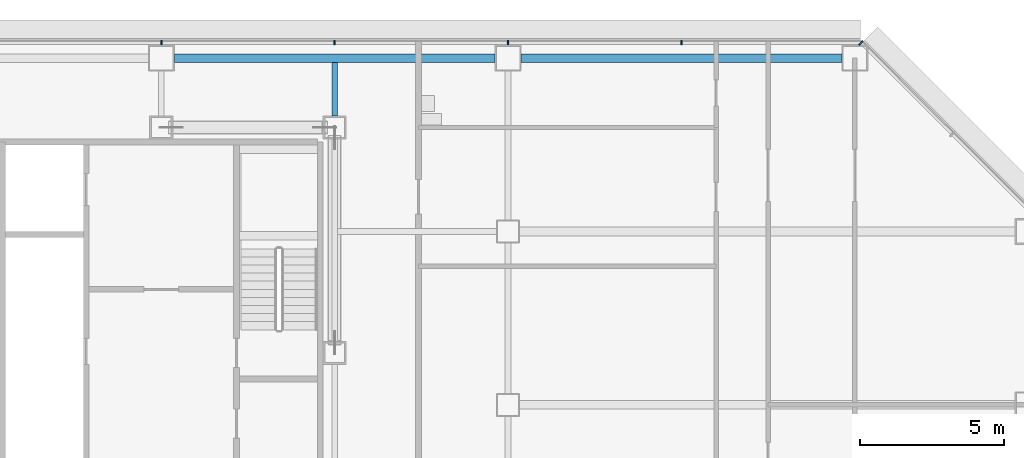
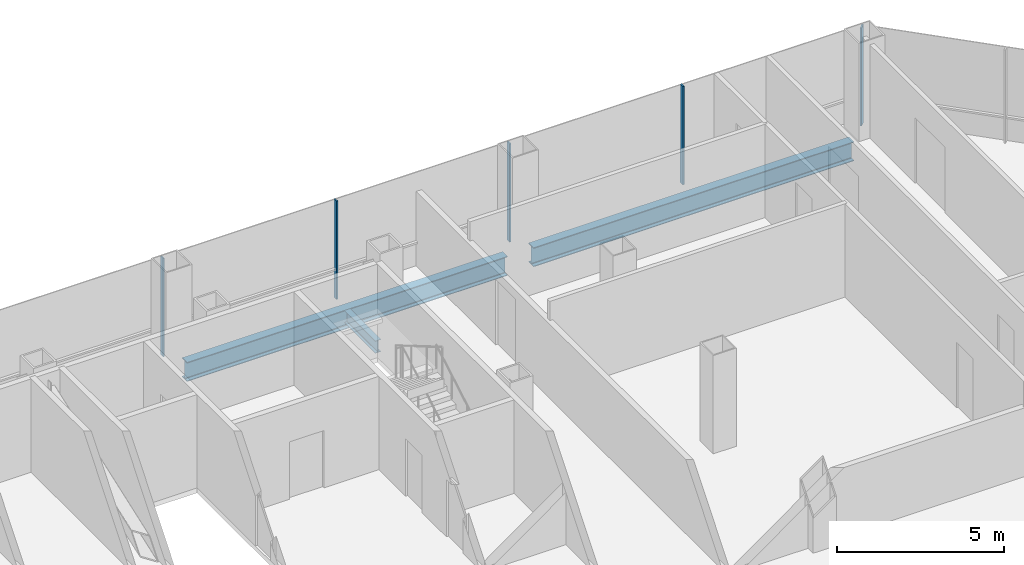
# One storey, part 15 of 26: 5 members, 3 beams, 2 elements without a shape of their own.
"""IFC4 building model written with IfcOpenShell, lengths in metres."""

from ifc_helpers import new_model, si_unit, direction, frame, origin, origin_2d, place, context, subcontext, project, spatial, rectangle, i_section, extrude, material, material_profile, profile_set, type_object, element, aggregate, save


model = new_model("IFC4")

# Units and contexts
model_context = context("Model", 3, precision=1e-05, world=origin(), true_north=direction((0.0, 1.0)))
body_context = subcontext(model_context, "Body", "Model", "MODEL_VIEW")
ifc_project = project(units=[si_unit("LENGTHUNIT", "METRE"), si_unit("AREAUNIT", "SQUARE_METRE"), si_unit("VOLUMEUNIT", "CUBIC_METRE"), si_unit("PLANEANGLEUNIT", "RADIAN"), si_unit("MASSUNIT", "GRAM", prefix="KILO")], contexts=[model_context])

# Site, building, storey
site_placement = place(None, origin())
site = spatial("IfcSite", under=ifc_project, at=site_placement, CompositionType="ELEMENT")
building_placement = place(site_placement, origin())
building = spatial("IfcBuilding", under=site, at=building_placement, Name="Sorahane Residences", CompositionType="ELEMENT")
storey_placement = place(building_placement, frame((0.0, 0.0, 64.199951171875)))
storey = spatial("IfcBuildingStorey", under=building, at=storey_placement, Name="L12", CompositionType="ELEMENT", Elevation=64.199951171875)

# Curtain wall, members
ifc_material_1 = material(Name="Dark low-e glass and black anodised aluminium", Category="aluminium")
curtain_wall_type_1 = type_object("IfcCurtainWallType", Name="Curtain wall CW-1 Typical unitised wall", PredefinedType="NOTDEFINED", material=ifc_material_1)
curtain_wall_1_placement = place(storey_placement, origin())
curtain_wall_1 = element("IfcCurtainWall", 1, at=curtain_wall_1_placement, inside=storey, type_object=curtain_wall_type_1, Name="CW-1 curtain wall L12 N1", PredefinedType="NOTDEFINED")
ifc_material_2 = material(Name="Black anodised aluminium", Category="aluminium")
ifc_material_profile_1 = material_profile(ifc_material_2, rectangle(XDim=0.159912109375, YDim=0.050048828125, at=origin_2d()), Name="Curtain wall mullion CW-1 black anodised aluminium 50x160")
ifc_profile_set_1 = profile_set([ifc_material_profile_1], Name="Black anodised aluminium")
member_type_1 = type_object("IfcMemberType", Name="Curtain wall mullion CW-1 black anodised aluminium 50x160", PredefinedType="MULLION", material=ifc_profile_set_1)
member_1_placement = place(storey_placement, frame((54.0, 48.5400390625, -0.179931640625), z_axis=(0.0, 0.0, 1.0), x_axis=(0.0, 1.0, 0.0)))
member_1 = element("IfcMember", 2, at=member_1_placement, type_object=member_type_1, Name="CW-1 mullion L12 N1.2", PredefinedType="MULLION", context=body_context, shape_type="SweptSolid", body=[
    extrude(rectangle(XDim=0.159912109375, YDim=0.050048828125, at=origin_2d()), origin(), (0.0, 0.0, 1.0), 3.60009765625),
])
member_2_placement = place(storey_placement, frame((48.0, 48.5400390625, -0.179931640625), z_axis=(0.0, 0.0, 1.0), x_axis=(0.0, 1.0, 0.0)))
member_2 = element("IfcMember", 3, at=member_2_placement, type_object=member_type_1, Name="CW-1 mullion L12 N1.3", PredefinedType="MULLION", context=body_context, shape_type="SweptSolid", body=[
    extrude(rectangle(XDim=0.159912109375, YDim=0.050048828125, at=origin_2d()), origin(), (0.0, 0.0, 1.0), 3.60009765625),
])
member_3_placement = place(storey_placement, frame((42.0, 48.5400390625, -0.179931640625), z_axis=(0.0, 0.0, 1.0), x_axis=(0.0, 1.0, 0.0)))
member_3 = element("IfcMember", 4, at=member_3_placement, type_object=member_type_1, Name="CW-1 mullion L12 N1.4", PredefinedType="MULLION", context=body_context, shape_type="SweptSolid", body=[
    extrude(rectangle(XDim=0.159912109375, YDim=0.050048828125, at=origin_2d()), origin(), (0.0, 0.0, 1.0), 3.60009765625),
])
member_4_placement = place(storey_placement, frame((36.0, 48.5400390625, -0.179931640625), z_axis=(0.0, 0.0, 1.0), x_axis=(0.0, 1.0, 0.0)))
member_4 = element("IfcMember", 5, at=member_4_placement, type_object=member_type_1, Name="CW-1 mullion L12 N1.5", PredefinedType="MULLION", context=body_context, shape_type="SweptSolid", body=[
    extrude(rectangle(XDim=0.159912109375, YDim=0.050048828125, at=origin_2d()), origin(), (0.0, 0.0, 1.0), 3.60009765625),
])
aggregate(curtain_wall_1, [member_1, member_2, member_3, member_4])

# Curtain wall, member
ifc_material_3 = material(Name="Dark low-e glass and black anodised aluminium", Category="aluminium")
curtain_wall_type_2 = type_object("IfcCurtainWallType", Name="Curtain wall CW-2 Chamfer unitised wall", PredefinedType="NOTDEFINED", material=ifc_material_3)
curtain_wall_2_placement = place(storey_placement, origin())
curtain_wall_2 = element("IfcCurtainWall", 6, at=curtain_wall_2_placement, inside=storey, type_object=curtain_wall_type_2, Name="CW-2 curtain wall L12 NE1", PredefinedType="NOTDEFINED")
ifc_material_4 = material(Name="Black anodised aluminium", Category="aluminium")
ifc_material_profile_2 = material_profile(ifc_material_4, rectangle(XDim=0.199951171875, YDim=0.050048828125, at=origin_2d()), Name="Curtain wall mullion CW-2 black anodised aluminium 50x200")
ifc_profile_set_2 = profile_set([ifc_material_profile_2], Name="Black anodised aluminium")
member_type_2 = type_object("IfcMemberType", Name="Curtain wall mullion CW-2 black anodised aluminium 50x200", PredefinedType="MULLION", material=ifc_profile_set_2)
member_5_placement = place(storey_placement, frame((60.209716796875, 48.525634765625, -0.179931640625), z_axis=(0.0, 0.0, 1.0), x_axis=(0.707106781187, 0.707106781187, 0.0)))
member_5 = element("IfcMember", 7, at=member_5_placement, type_object=member_type_2, Name="CW-2 mullion L12 NE1.3", PredefinedType="MULLION", context=body_context, shape_type="SweptSolid", body=[
    extrude(rectangle(XDim=0.199951171875, YDim=0.050048828125, at=origin_2d()), origin(), (0.0, 0.0, 1.0), 3.60009765625),
])
aggregate(curtain_wall_2, [member_5])

# Beams
ifc_material_5 = material(Name="Steel Q355B", Category="steel")
ifc_material_profile_3 = material_profile(ifc_material_5, i_section(OverallWidth=0.199951171875, OverallDepth=0.449951171875, WebThickness=0.009033203125, FlangeThickness=0.013916015625, FilletRadius=0.02001953125, at=origin_2d()), Name="HN 450x200x9x14")
ifc_profile_set_3 = profile_set([ifc_material_profile_3], Name="Steel Q355B")
beam_type_1 = type_object("IfcBeamType", Name="Steel floor beam HN 450x200x9x14 Q355B", PredefinedType="BEAM", material=ifc_profile_set_3)
beam_placement = place(storey_placement, frame((42.0, 46.0, -0.405029296875), z_axis=(0.0, 1.0, 0.0), x_axis=(-1.0, 0.0, 0.0)))
element("IfcBeam", 8, at=beam_placement, inside=storey, type_object=beam_type_1, Name="Beam L12 050", PredefinedType="BEAM", context=body_context, shape_type="SweptSolid", body=[
    extrude(i_section(OverallWidth=0.199951171875, OverallDepth=0.449951171875, WebThickness=0.009033203125, FlangeThickness=0.013916015625, FilletRadius=0.02001953125, at=origin_2d()), origin(), (0.0, 0.0, 1.0), 1.85009765625),
])
ifc_material_6 = material(Name="Steel Q355B", Category="steel")
ifc_material_profile_4 = material_profile(ifc_material_6, i_section(OverallWidth=0.300048828125, OverallDepth=0.699951171875, WebThickness=0.012939453125, FlangeThickness=0.02392578125, FilletRadius=0.028076171875, at=origin_2d()), Name="HN 700x300x13x24")
ifc_profile_set_4 = profile_set([ifc_material_profile_4], Name="Steel Q355B")
beam_type_2 = type_object("IfcBeamType", Name="Steel floor beam HN 700x300x13x24 Q355B", PredefinedType="BEAM", material=ifc_profile_set_4)
for number, where, z_axis, x_axis, name in (
    (9, (36.449951171875, 48.0, -0.530029296875), (1.0, 0.0, 0.0), (0.0, 1.0, 0.0), "Beam L12 015"),
    (10, (48.449951171875, 48.0, -0.530029296875), (1.0, 0.0, 0.0), (0.0, 1.0, 0.0), "Beam L12 016"),
):
    element("IfcBeam", number, at=place(storey_placement, frame(where, z_axis=z_axis, x_axis=x_axis)), inside=storey, type_object=beam_type_2, Name=name, PredefinedType="BEAM", context=body_context, shape_type="SweptSolid", body=[
        extrude(i_section(OverallWidth=0.300048828125, OverallDepth=0.699951171875, WebThickness=0.012939453125, FlangeThickness=0.02392578125, FilletRadius=0.028076171875, at=origin_2d()), origin(), (0.0, 0.0, 1.0), 11.10009765625),
    ])

save(model, "model.ifc")
